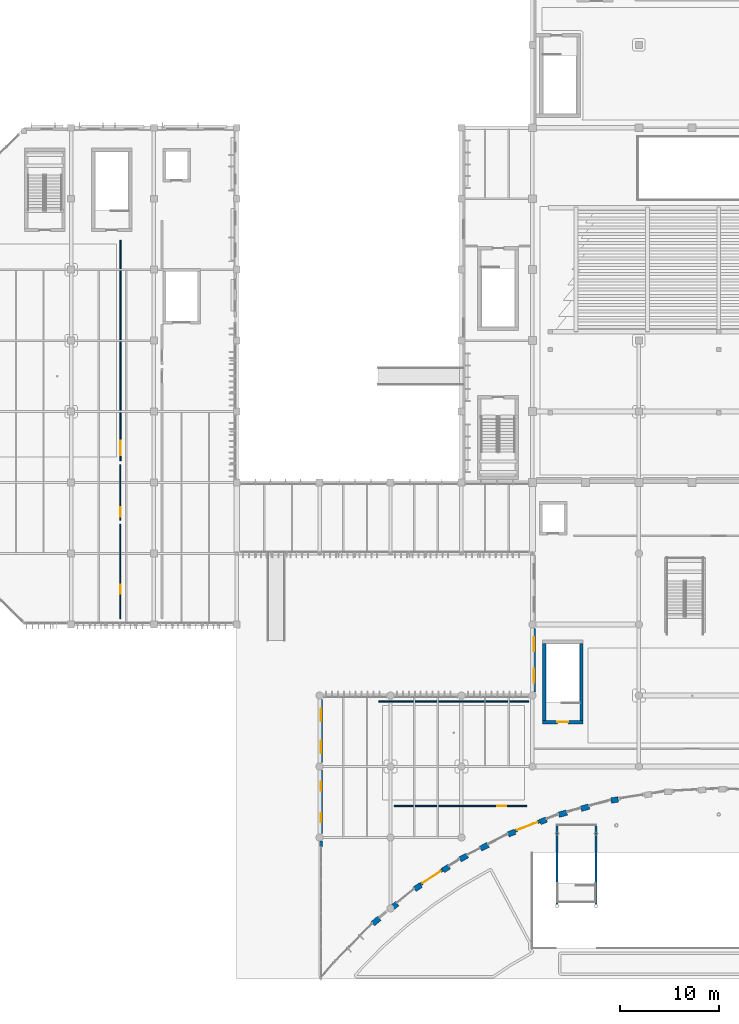
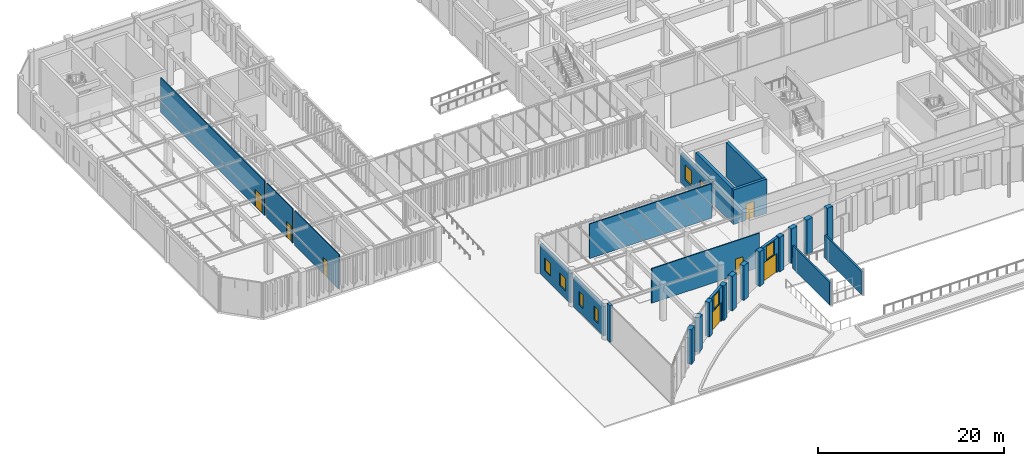
# One storey, part 31 of 122: 27 walls, 8 windows, 7 doors, 15 openings.
"""IFC4 building model written with IfcOpenShell, lengths in metres."""

import ifcopenshell
import ifcopenshell.guid

model = None  # the IFC model being written
_history = None  # IfcOwnerHistory: only IFC2X3 demands one
_inside = {}  # id of a spatial element -> (the spatial element, [elements in it])
_under = {}  # id of a project, library or spatial element -> (it, [spatial elements below it])
_declared = {}  # id of a project -> (the project, [libraries it declares])
_typed = {}  # id of a type object -> (the type object, [elements of that type])
_made_of = {}  # id of a material, layer set ... -> (it, [elements and type objects made of it])


def new_model(schema):
    """Start an empty IFC model of exactly this schema.

    Asked for "IFC4X3", IfcOpenShell would pick the latest addendum, in which some entities
    have other attributes; the version numbers below select the first issue.
    IFC2X3 requires an IfcOwnerHistory on every rooted entity: one is made here for all.
    """
    global model, _history
    if schema == "IFC4X3":
        model = ifcopenshell.file(schema_version=(4, 3, 0, 0))
    else:
        model = ifcopenshell.file(schema=schema)
    _inside.clear()
    _under.clear()
    _declared.clear()
    _typed.clear()
    _made_of.clear()
    _history = None
    if model.schema == "IFC2X3":
        org = make("IfcOrganization", Name="unknown")
        user = make(
            "IfcPersonAndOrganization",
            ThePerson=make("IfcPerson", FamilyName="unknown"),
            TheOrganization=org,
        )
        app = make(
            "IfcApplication",
            ApplicationDeveloper=org,
            Version="unknown",
            ApplicationFullName="unknown",
            ApplicationIdentifier="unknown",
        )
        _history = make(
            "IfcOwnerHistory",
            OwningUser=user,
            OwningApplication=app,
            ChangeAction="ADDED",
            CreationDate=0,
        )
    return model


def make(cls, **values):
    """One entity of the class cls with the attributes given. An attribute that is None is left unset."""
    return model.create_entity(
        cls, **{name: value for name, value in values.items() if value is not None}
    )


def rooted(cls, **values):
    """An entity with a GlobalId (a new one), such as an element, a storey or a relation."""
    return make(cls, GlobalId=ifcopenshell.guid.new(), OwnerHistory=_history, **values)


def si_unit(unit_type, name, prefix=None):
    """IfcSIUnit, for example si_unit("LENGTHUNIT", "METRE", prefix="MILLI")."""
    return make("IfcSIUnit", UnitType=unit_type, Prefix=prefix, Name=name)


def assignment(units):
    """IfcUnitAssignment: the units of a project."""
    return None if units is None else make("IfcUnitAssignment", Units=units)


def point(xyz):
    """IfcCartesianPoint."""
    return None if xyz is None else make("IfcCartesianPoint", Coordinates=xyz)


def direction(xyz):
    """IfcDirection."""
    return None if xyz is None else make("IfcDirection", DirectionRatios=xyz)


def frame(location, z_axis=None, x_axis=None):
    """IfcAxis2Placement3D, a coordinate frame: its origin and axes. An axis left out is left unset."""
    return make(
        "IfcAxis2Placement3D",
        Location=point(location),
        Axis=direction(z_axis),
        RefDirection=direction(x_axis),
    )


def frame_2d(location, x_axis=None):
    """IfcAxis2Placement2D, a coordinate frame in the plane: its origin and x axis."""
    return make(
        "IfcAxis2Placement2D", Location=point(location), RefDirection=direction(x_axis)
    )


def origin():
    """The frame at (0, 0, 0) with its axes left unset."""
    return frame((0.0, 0.0, 0.0))


def place(relative_to, where):
    """IfcLocalPlacement: puts the frame where relative to a parent placement (None: the world)."""
    return make(
        "IfcLocalPlacement", PlacementRelTo=relative_to, RelativePlacement=where
    )


def context(
    kind, dimensions, precision=None, world=None, true_north=None, identifier=None
):
    """IfcGeometricRepresentationContext, for example the 3D "Model" context."""
    return make(
        "IfcGeometricRepresentationContext",
        ContextIdentifier=identifier,
        ContextType=kind,
        CoordinateSpaceDimension=dimensions,
        Precision=precision,
        WorldCoordinateSystem=world,
        TrueNorth=true_north,
    )


def subcontext(parent, identifier, kind, view, scale=None):
    """IfcGeometricRepresentationSubContext, for example "Body" below "Model"."""
    return make(
        "IfcGeometricRepresentationSubContext",
        ContextIdentifier=identifier,
        ContextType=kind,
        ParentContext=parent,
        TargetScale=scale,
        TargetView=view,
    )


def project(units=None, contexts=None):
    """IfcProject with its units and contexts."""
    return rooted(
        "IfcProject",
        Name="project",
        RepresentationContexts=contexts,
        UnitsInContext=assignment(units),
    )


def spatial(cls, under=None, at=None, **own):
    """A site, building, storey or space (cls), placed at a placement, below another one or the project."""
    s = rooted(cls, ObjectPlacement=at, **own)
    if under is not None:
        _under.setdefault(under.id(), (under, []))[1].append(s)
    return s


def profile(cls, at=None, kind="AREA", **sizes):
    """A parametric profile (cls). Its sizes go by their IFC names, for example OverallWidth=200.0."""
    return make(cls, ProfileType=kind, Position=at, **sizes)


def rectangle(**sizes):
    """IfcRectangleProfileDef."""
    return profile("IfcRectangleProfileDef", **sizes)


def extrude(swept, where, along, depth):
    """IfcExtrudedAreaSolid: the profile swept, set in the frame where, extruded along a direction by depth."""
    return make(
        "IfcExtrudedAreaSolid",
        SweptArea=swept,
        Position=where,
        ExtrudedDirection=direction(along),
        Depth=depth,
    )


def shape(context_of_items, identifier, shape_type, items):
    """IfcShapeRepresentation: the items that make up one representation, for example the "Body"."""
    return make(
        "IfcShapeRepresentation",
        ContextOfItems=context_of_items,
        RepresentationIdentifier=identifier,
        RepresentationType=shape_type,
        Items=items,
    )


def material(Name=None, Category=None):
    """IfcMaterial."""
    return make("IfcMaterial", Name=Name, Category=Category)


def layer(
    of_material, thickness, ventilated=None, Name=None, Category=None, Priority=None
):
    """IfcMaterialLayer: one layer of a wall or slab, of a material (None: an air gap)."""
    return make(
        "IfcMaterialLayer",
        Material=of_material,
        LayerThickness=thickness,
        IsVentilated=ventilated,
        Name=Name,
        Category=Category,
        Priority=Priority,
    )


def layer_set(layers, Name=None):
    """IfcMaterialLayerSet."""
    return make("IfcMaterialLayerSet", MaterialLayers=layers, LayerSetName=Name)


def made_of(thing, what):
    """Note that an element or type object is made of a material, layer set ...; save() writes the relation."""
    if what is not None:
        _made_of.setdefault(what.id(), (what, []))[1].append(thing)
    return thing


def type_object(cls, material=None, **own):
    """A type object (cls), such as IfcWallType, which elements share."""
    return made_of(rooted(cls, **own), material)


def element(
    cls,
    number,
    at=None,
    inside=None,
    cuts=None,
    type_object=None,
    material=None,
    context=None,
    identifier="Body",
    shape_type=None,
    held_by="IfcProductDefinitionShape",
    body=None,
    shapes=None,
    **own,
):
    """One element of the class cls, such as IfcWall. Its Tag is "e" and its number.

    at: its placement. inside: the storey or other place that contains it. cuts: it is an
    opening in that element (IfcRelVoidsElement). A single representation is given by context,
    identifier, shape_type and body (its items); several are given by shapes. held_by: the class
    of the entity that holds the representations. save() writes the other relations.
    """
    e = rooted(cls, Tag="e%d" % number, ObjectPlacement=at, **own)
    if body is not None:
        shapes = [shape(context, identifier, shape_type, body)]
    if shapes is not None:
        e.Representation = make(held_by, Representations=shapes)
    if inside is not None:
        _inside.setdefault(inside.id(), (inside, []))[1].append(e)
    if cuts is not None:
        rooted(
            "IfcRelVoidsElement", RelatingBuildingElement=cuts, RelatedOpeningElement=e
        )
    if type_object is not None:
        _typed.setdefault(type_object.id(), (type_object, []))[1].append(e)
    return made_of(e, material)


def fill(opening, filler):
    """IfcRelFillsElement: the door or window that sits in an opening."""
    return rooted(
        "IfcRelFillsElement",
        RelatingOpeningElement=opening,
        RelatedBuildingElement=filler,
    )


def aggregate(whole, parts):
    """IfcRelAggregates: a whole, such as a stair, and the parts it consists of."""
    return rooted("IfcRelAggregates", RelatingObject=whole, RelatedObjects=parts)


def save(model, path):
    """Write the relations noted so far, then the file.

    IfcRelAggregates (storeys below a building ...), IfcRelContainedInSpatialStructure (elements
    in a storey), IfcRelDefinesByType, IfcRelAssociatesMaterial and IfcRelDeclares: one each for
    every whole, place, type object, material and project.
    """
    for whole, parts in _under.values():
        aggregate(whole, parts)
    for where, things in _inside.values():
        rooted(
            "IfcRelContainedInSpatialStructure",
            RelatedElements=things,
            RelatingStructure=where,
        )
    for kind, things in _typed.values():
        rooted("IfcRelDefinesByType", RelatedObjects=things, RelatingType=kind)
    for what, things in _made_of.values():
        rooted("IfcRelAssociatesMaterial", RelatedObjects=things, RelatingMaterial=what)
    for by, libraries in _declared.values():
        rooted("IfcRelDeclares", RelatingContext=by, RelatedDefinitions=libraries)
    model.write(path)


model = new_model("IFC4")

# Units and contexts
model_context = context("Model", 3, precision=1e-05, world=origin(), true_north=direction((0.0, 1.0)))
body_context = subcontext(model_context, "Body", "Model", "MODEL_VIEW")
ifc_project = project(units=[si_unit("LENGTHUNIT", "METRE"), si_unit("AREAUNIT", "SQUARE_METRE"), si_unit("VOLUMEUNIT", "CUBIC_METRE"), si_unit("PLANEANGLEUNIT", "RADIAN"), si_unit("MASSUNIT", "GRAM", prefix="KILO")], contexts=[model_context])

# Site, building, storey
site_placement = place(None, origin())
site = spatial("IfcSite", under=ifc_project, at=site_placement, CompositionType="ELEMENT")
building_placement = place(site_placement, origin())
building = spatial("IfcBuilding", under=site, at=building_placement, Name="Tazoul Stagehouse", CompositionType="ELEMENT")
storey_placement = place(building_placement, origin())
storey = spatial("IfcBuildingStorey", under=building, at=storey_placement, Name="L00", CompositionType="ELEMENT", Elevation=0.0)

# Walls
ifc_material_1 = material(Name="Ochre Pressed Clay Brick and Concrete C35/45 Backing", Category="masonry")
ifc_layer_1 = layer(ifc_material_1, 0.56005859375, Name="Ochre Pressed Clay Brick and Concrete C35/45 Backing")
ifc_layer_set_1 = layer_set([ifc_layer_1], Name="Ochre Pressed Clay Brick and Concrete C35/45 Backing")
wall_type_1 = type_object("IfcWallType", Name="Concave Crescent Deep Sculpted Brick Pier 560", PredefinedType="SOLIDWALL", material=ifc_layer_set_1)
wall_1_placement = place(storey_placement, frame((41.4091796875, 7.051513671875, 0.0), z_axis=(0.0, 0.0, 1.0), x_axis=(0.771815508467, 0.635846538789, 0.0)))
element("IfcWall", 1, at=wall_1_placement, inside=storey, type_object=wall_type_1, Name="L00 Wall EW-560 (WALL-V5-PIER-C03-1)", PredefinedType="SOLIDWALL", context=body_context, shape_type="SweptSolid", body=[
    extrude(rectangle(XDim=0.860107421875, YDim=0.56005859375, at=frame_2d((0.43017578125, 0.0))), origin(), (0.0, 0.0, 1.0), 4.5400390625),
])
wall_2_placement = place(storey_placement, frame((43.218994140625, 8.54248046875, 0.0), z_axis=(0.0, 0.0, 1.0), x_axis=(0.771954821173, 0.635677397795, 0.0)))
element("IfcWall", 2, at=wall_2_placement, inside=storey, type_object=wall_type_1, Name="L00 Wall EW-560 (WALL-V5-PIER-C03-2)", PredefinedType="SOLIDWALL", context=body_context, shape_type="SweptSolid", body=[
    extrude(rectangle(XDim=0.85986328125, YDim=0.56005859375, at=frame_2d((0.429931640625, 0.0))), origin(), (0.0, 0.0, 1.0), 4.5400390625),
])
wall_3_placement = place(storey_placement, frame((45.655029296875, 10.549560546875, 0.0), z_axis=(0.0, 0.0, 1.0), x_axis=(0.834730732559, 0.550658337012, 0.0)))
element("IfcWall", 3, at=wall_3_placement, inside=storey, type_object=wall_type_1, Name="L00 Wall EW-560 (WALL-V5-PIER-C04-1)", PredefinedType="SOLIDWALL", context=body_context, shape_type="SweptSolid", body=[
    extrude(rectangle(XDim=0.739990234375, YDim=0.56005859375, at=frame_2d((0.3701171875, 0.0))), origin(), (0.0, 0.0, 1.0), 4.5400390625),
])
wall_4_placement = place(storey_placement, frame((48.54345703125, 12.45458984375, 0.0), z_axis=(0.0, 0.0, 1.0), x_axis=(0.834752784548, 0.550624907436, 0.0)))
element("IfcWall", 4, at=wall_4_placement, inside=storey, type_object=wall_type_1, Name="L00 Wall EW-560 (WALL-V5-PIER-C04-2)", PredefinedType="SOLIDWALL", context=body_context, shape_type="SweptSolid", body=[
    extrude(rectangle(XDim=0.719970703125, YDim=0.56005859375, at=frame_2d((0.35986328125, 0.0))), origin(), (0.0, 0.0, 1.0), 4.5400390625),
])
for number, where, z_axis, x_axis, name in (
    (5, (50.247314453125, 13.578857421875, 0.0), (0.0, 0.0, 1.0), (0.88838537898, 0.459098484439, 0.0), "L00 Wall EW-560 (WALL-V5-PIER-C05-1)"),
    (6, (52.330322265625, 14.655517578125, 0.0), (0.0, 0.0, 1.0), (0.88838537898, 0.459098484439, 0.0), "L00 Wall EW-560 (WALL-V5-PIER-C05-2)"),
):
    element("IfcWall", number, at=place(storey_placement, frame(where, z_axis=z_axis, x_axis=x_axis)), inside=storey, type_object=wall_type_1, Name=name, PredefinedType="SOLIDWALL", context=body_context, shape_type="SweptSolid", body=[
        extrude(rectangle(XDim=0.85986328125, YDim=0.56005859375, at=frame_2d((0.429931640625, 0.0))), origin(), (0.0, 0.0, 1.0), 4.5400390625),
    ])
wall_5_placement = place(storey_placement, frame((55.13427734375, 16.105224609375, 0.0), z_axis=(0.0, 0.0, 1.0), x_axis=(0.931961327096, 0.362557698577, 0.0)))
element("IfcWall", 7, at=wall_5_placement, inside=storey, type_object=wall_type_1, Name="L00 Wall EW-560 (WALL-V5-PIER-C06-1)", PredefinedType="SOLIDWALL", context=body_context, shape_type="SweptSolid", body=[
    extrude(rectangle(XDim=0.739990234375, YDim=0.56005859375, at=frame_2d((0.3701171875, 0.0))), origin(), (0.0, 0.0, 1.0), 4.5400390625),
])
wall_6_placement = place(storey_placement, frame((58.35888671875, 17.359619140625, 0.0), z_axis=(0.0, 0.0, 1.0), x_axis=(0.931851856596, 0.362838968908, 0.0)))
element("IfcWall", 8, at=wall_6_placement, inside=storey, type_object=wall_type_1, Name="L00 Wall EW-560 (WALL-V5-PIER-C06-2)", PredefinedType="SOLIDWALL", context=body_context, shape_type="SweptSolid", body=[
    extrude(rectangle(XDim=0.719970703125, YDim=0.56005859375, at=frame_2d((0.35986328125, 0.0))), origin(), (0.0, 0.0, 1.0), 4.5400390625),
])
wall_7_placement = place(storey_placement, frame((60.260986328125, 18.100341796875, 0.0), z_axis=(0.0, 0.0, 1.0), x_axis=(0.965071022865, 0.261988398266, 0.0)))
element("IfcWall", 9, at=wall_7_placement, inside=storey, type_object=wall_type_1, Name="L00 Wall EW-560 (WALL-V5-PIER-C07-1)", PredefinedType="SOLIDWALL", context=body_context, shape_type="SweptSolid", body=[
    extrude(rectangle(XDim=0.860107421875, YDim=0.56005859375, at=frame_2d((0.43017578125, 0.0))), origin(), (0.0, 0.0, 1.0), 4.5400390625),
])
wall_8_placement = place(storey_placement, frame((62.524169921875, 18.714599609375, 0.0), z_axis=(0.0, 0.0, 1.0), x_axis=(0.965123305847, 0.261795730506, 0.0)))
element("IfcWall", 10, at=wall_8_placement, inside=storey, type_object=wall_type_1, Name="L00 Wall EW-560 (WALL-V5-PIER-C07-2)", PredefinedType="SOLIDWALL", context=body_context, shape_type="SweptSolid", body=[
    extrude(rectangle(XDim=0.85986328125, YDim=0.56005859375, at=frame_2d((0.429931640625, 0.0))), origin(), (0.0, 0.0, 1.0), 4.5400390625),
])
wall_9_placement = place(storey_placement, frame((65.5703125, 19.541748046875, 0.0), z_axis=(0.0, 0.0, 1.0), x_axis=(0.987374648009, 0.158402349948, 0.0)))
element("IfcWall", 11, at=wall_9_placement, inside=storey, type_object=wall_type_1, Name="L00 Wall EW-560 (WALL-V5-PIER-C08-1)", PredefinedType="SOLIDWALL", context=body_context, shape_type="SweptSolid", body=[
    extrude(rectangle(XDim=0.73974609375, YDim=0.56005859375, at=frame_2d((0.369873046875, 0.0))), origin(), (0.0, 0.0, 1.0), 4.5400390625),
])

# Wall, openings, window, door
ifc_material_2 = material(Name="Ochre Fired Clay Facing Brick Masonry", Category="masonry")
ifc_layer_2 = layer(ifc_material_2, 0.320068359375, Name="Ochre Fired Clay Facing Brick Masonry")
ifc_layer_set_2 = layer_set([ifc_layer_2], Name="Ochre Fired Clay Facing Brick Masonry")
wall_type_2 = type_object("IfcWallType", Name="Concave Crescent Ochre Brick Facade Wall 320", PredefinedType="SOLIDWALL", material=ifc_layer_set_2)
wall_10_placement = place(storey_placement, frame((46.245361328125, 11.034912109375, 0.0), z_axis=(0.0, 0.0, 1.0), x_axis=(0.834786932097, 0.550573135923, 0.0)))
wall_10 = element("IfcWall", 12, at=wall_10_placement, inside=storey, type_object=wall_type_2, Name="L00 Wall EW-320 (WALL-V5-ENT-C04)", PredefinedType="SOLIDWALL", context=body_context, shape_type="SweptSolid", body=[
    extrude(rectangle(XDim=2.68017578125, YDim=0.320068359375, at=frame_2d((1.340087890625, 0.0))), origin(), (0.0, 0.0, 1.0), 4.5400390625),
])
opening_1_placement = place(wall_10_placement, frame((0.639892578125, 0.0, 2.580078125)))
opening_1 = element("IfcOpeningElement", 13, at=opening_1_placement, cuts=wall_10, Name="Opening WN-04", PredefinedType="OPENING", context=body_context, shape_type="SweptSolid", body=[
    extrude(rectangle(XDim=1.39990234375, YDim=1.800048828125, at=frame_2d((0.699951171875, 0.89990234375))), frame((0.0, 0.179931640625, 0.0), z_axis=(0.0, -1.0, 0.0), x_axis=(1.0, 0.0, 0.0)), (0.0, 0.0, 1.0), 0.360107421875),
])
opening_2_placement = place(wall_10_placement, frame((0.239990234375, 0.0, 0.0)))
opening_2 = element("IfcOpeningElement", 14, at=opening_2_placement, cuts=wall_10, Name="Opening ED-01", PredefinedType="OPENING", context=body_context, shape_type="SweptSolid", body=[
    extrude(rectangle(XDim=2.199951171875, YDim=2.5, at=frame_2d((1.10009765625, 1.25))), frame((0.0, 0.179931640625, 0.0), z_axis=(0.0, -1.0, 0.0), x_axis=(1.0, 0.0, 0.0)), (0.0, 0.0, 1.0), 0.360107421875),
])
ifc_material_3 = material(Name="Double Low-E Acoustic Laminated Glass", Category="glass")
window_type_1 = type_object("IfcWindowType", Name="Clerestory Acoustic Fixed Light 1400x1800", PartitioningType="SINGLE_PANEL", PredefinedType="WINDOW", material=ifc_material_3)
window_1_placement = place(opening_1_placement, origin())
window_1 = element("IfcWindow", 15, at=window_1_placement, inside=storey, type_object=window_type_1, Name="L00 Window WN-04 (WN-V5-TRN-C04)", OverallHeight=1.800048828125, OverallWidth=1.39990234375, PartitioningType="SINGLE_PANEL", PredefinedType="WINDOW", context=body_context, shape_type="SweptSolid", body=[
    extrude(rectangle(XDim=1.39990234375, YDim=1.800048828125, at=frame_2d((0.699951171875, 0.89990234375))), frame((0.0, 0.030029296875, 0.0), z_axis=(0.0, -1.0, 0.0), x_axis=(1.0, 0.0, 0.0)), (0.0, 0.0, 1.0), 0.06005859375),
])
fill(opening_1, window_1)
door_type_1 = type_object("IfcDoorType", Name="Main Foyer Glazed Double Entrance Door 2200x2500", OperationType="DOUBLE_SWING_LEFT", PredefinedType="DOOR", material=ifc_material_3)
door_1_placement = place(opening_2_placement, origin())
door_1 = element("IfcDoor", 16, at=door_1_placement, inside=storey, type_object=door_type_1, Name="L00 Door ED-01 (DR-V5-L00-C04)", OperationType="SINGLE_SWING_LEFT", OverallHeight=2.5, OverallWidth=2.199951171875, PredefinedType="DOOR", context=body_context, shape_type="SweptSolid", body=[
    extrude(rectangle(XDim=2.199951171875, YDim=2.5, at=frame_2d((1.10009765625, 1.25))), frame((0.0, 0.02490234375, 0.0), z_axis=(0.0, -1.0, 0.0), x_axis=(1.0, 0.0, 0.0)), (0.0, 0.0, 1.0), 0.050048828125),
])
fill(opening_2, door_1)

wall_11_placement = place(storey_placement, frame((55.8134765625, 16.455322265625, 0.0), z_axis=(0.0, 0.0, 1.0), x_axis=(0.931953372645, 0.362578144978, 0.0)))
wall_11 = element("IfcWall", 17, at=wall_11_placement, inside=storey, type_object=wall_type_2, Name="L00 Wall EW-320 (WALL-V5-ENT-C06)", PredefinedType="SOLIDWALL", context=body_context, shape_type="SweptSolid", body=[
    extrude(rectangle(XDim=2.679931640625, YDim=0.320068359375, at=frame_2d((1.33984375, 0.0))), origin(), (0.0, 0.0, 1.0), 4.5400390625),
])
opening_3_placement = place(wall_11_placement, frame((0.639892578125, 0.0, 2.580078125)))
opening_3 = element("IfcOpeningElement", 18, at=opening_3_placement, cuts=wall_11, Name="Opening WN-04", PredefinedType="OPENING", context=body_context, shape_type="SweptSolid", body=[
    extrude(rectangle(XDim=1.39990234375, YDim=1.800048828125, at=frame_2d((0.699951171875, 0.89990234375))), frame((0.0, 0.179931640625, 0.0), z_axis=(0.0, -1.0, 0.0), x_axis=(1.0, 0.0, 0.0)), (0.0, 0.0, 1.0), 0.360107421875),
])
opening_4_placement = place(wall_11_placement, frame((0.239990234375, 0.0, 0.0)))
opening_4 = element("IfcOpeningElement", 19, at=opening_4_placement, cuts=wall_11, Name="Opening ED-01", PredefinedType="OPENING", context=body_context, shape_type="SweptSolid", body=[
    extrude(rectangle(XDim=2.199951171875, YDim=2.5, at=frame_2d((1.10009765625, 1.25))), frame((0.0, 0.179931640625, 0.0), z_axis=(0.0, -1.0, 0.0), x_axis=(1.0, 0.0, 0.0)), (0.0, 0.0, 1.0), 0.360107421875),
])
window_2_placement = place(opening_3_placement, origin())
window_2 = element("IfcWindow", 20, at=window_2_placement, inside=storey, type_object=window_type_1, Name="L00 Window WN-04 (WN-V5-TRN-C06)", OverallHeight=1.800048828125, OverallWidth=1.39990234375, PartitioningType="SINGLE_PANEL", PredefinedType="WINDOW", context=body_context, shape_type="SweptSolid", body=[
    extrude(rectangle(XDim=1.39990234375, YDim=1.800048828125, at=frame_2d((0.699951171875, 0.89990234375))), frame((0.0, 0.030029296875, 0.0), z_axis=(0.0, -1.0, 0.0), x_axis=(1.0, 0.0, 0.0)), (0.0, 0.0, 1.0), 0.06005859375),
])
fill(opening_3, window_2)
door_2_placement = place(opening_4_placement, origin())
door_2 = element("IfcDoor", 21, at=door_2_placement, inside=storey, type_object=door_type_1, Name="L00 Door ED-01 (DR-V5-L00-C06)", OperationType="SINGLE_SWING_LEFT", OverallHeight=2.5, OverallWidth=2.199951171875, PredefinedType="DOOR", context=body_context, shape_type="SweptSolid", body=[
    extrude(rectangle(XDim=2.199951171875, YDim=2.5, at=frame_2d((1.10009765625, 1.25))), frame((0.0, 0.02490234375, 0.0), z_axis=(0.0, -1.0, 0.0), x_axis=(1.0, 0.0, 0.0)), (0.0, 0.0, 1.0), 0.050048828125),
])
fill(opening_4, door_2)

# Wall
wall_12_placement = place(storey_placement, frame((36.159912109375, 14.820068359375, 0.0), z_axis=(0.0, 0.0, 1.0), x_axis=(0.0, 1.0, 0.0)))
element("IfcWall", 22, at=wall_12_placement, inside=storey, type_object=wall_type_2, Name="L00 Wall EW-320 (WALL-V5-W-L00-S1)", PredefinedType="SOLIDWALL", context=body_context, shape_type="SweptSolid", body=[
    extrude(rectangle(XDim=0.599853515625, YDim=0.320068359375, at=frame_2d((0.2998046875, 0.0))), origin(), (0.0, 0.0, 1.0), 4.800048828125),
])

# Wall, openings, windows
wall_13_placement = place(storey_placement, frame((36.159912109375, 16.179931640625, 0.0), z_axis=(0.0, 0.0, 1.0), x_axis=(0.0, 1.0, 0.0)))
wall_13 = element("IfcWall", 23, at=wall_13_placement, inside=storey, type_object=wall_type_2, Name="L00 Wall EW-320 (WALL-V5-W-L00-S2)", PredefinedType="SOLIDWALL", context=body_context, shape_type="SweptSolid", body=[
    extrude(rectangle(XDim=6.440185546875, YDim=0.320068359375, at=frame_2d((3.22021484375, 0.0))), origin(), (0.0, 0.0, 1.0), 3.873046875),
])
opening_5_placement = place(wall_13_placement, frame((1.14501953125, 0.0, 0.949951171875)))
opening_5 = element("IfcOpeningElement", 24, at=opening_5_placement, cuts=wall_13, Name="Opening WN-59", PredefinedType="OPENING", context=body_context, shape_type="SweptSolid", body=[
    extrude(rectangle(XDim=0.929931640625, YDim=1.800048828125, at=frame_2d((0.46484375, 0.89990234375))), frame((0.0, 0.179931640625, 0.0), z_axis=(0.0, -1.0, 0.0), x_axis=(1.0, 0.0, 0.0)), (0.0, 0.0, 1.0), 0.360107421875),
])
opening_6_placement = place(wall_13_placement, frame((4.364990234375, 0.0, 0.949951171875)))
opening_6 = element("IfcOpeningElement", 25, at=opening_6_placement, cuts=wall_13, Name="Opening WN-59", PredefinedType="OPENING", context=body_context, shape_type="SweptSolid", body=[
    extrude(rectangle(XDim=0.929931640625, YDim=1.800048828125, at=frame_2d((0.46484375, 0.89990234375))), frame((0.0, 0.179931640625, 0.0), z_axis=(0.0, -1.0, 0.0), x_axis=(1.0, 0.0, 0.0)), (0.0, 0.0, 1.0), 0.360107421875),
])
window_type_2 = type_object("IfcWindowType", Name="Architectural Acoustic Facade Window 930x1800", PartitioningType="SINGLE_PANEL", PredefinedType="WINDOW", material=ifc_material_3)
window_3_placement = place(opening_5_placement, origin())
window_3 = element("IfcWindow", 26, at=window_3_placement, inside=storey, type_object=window_type_2, Name="L00 Window WN-59 (WALL-V5-W-L00-S2-W1)", OverallHeight=1.800048828125, OverallWidth=0.929931640625, PartitioningType="SINGLE_PANEL", PredefinedType="WINDOW", context=body_context, shape_type="SweptSolid", body=[
    extrude(rectangle(XDim=0.929931640625, YDim=1.800048828125, at=frame_2d((0.46484375, 0.89990234375))), frame((0.0, 0.030029296875, 0.0), z_axis=(0.0, -1.0, 0.0), x_axis=(1.0, 0.0, 0.0)), (0.0, 0.0, 1.0), 0.06005859375),
])
fill(opening_5, window_3)
window_4_placement = place(opening_6_placement, origin())
window_4 = element("IfcWindow", 27, at=window_4_placement, inside=storey, type_object=window_type_2, Name="L00 Window WN-59 (WALL-V5-W-L00-S2-W2)", OverallHeight=1.800048828125, OverallWidth=0.929931640625, PartitioningType="SINGLE_PANEL", PredefinedType="WINDOW", context=body_context, shape_type="SweptSolid", body=[
    extrude(rectangle(XDim=0.929931640625, YDim=1.800048828125, at=frame_2d((0.46484375, 0.89990234375))), frame((0.0, 0.030029296875, 0.0), z_axis=(0.0, -1.0, 0.0), x_axis=(1.0, 0.0, 0.0)), (0.0, 0.0, 1.0), 0.06005859375),
])
fill(opening_6, window_4)

wall_14_placement = place(storey_placement, frame((36.159912109375, 23.3798828125, 0.0), z_axis=(0.0, 0.0, 1.0), x_axis=(0.0, 1.0, 0.0)))
wall_14 = element("IfcWall", 28, at=wall_14_placement, inside=storey, type_object=wall_type_2, Name="L00 Wall EW-320 (WALL-V5-W-L00-S3)", PredefinedType="SOLIDWALL", context=body_context, shape_type="SweptSolid", body=[
    extrude(rectangle(XDim=6.440185546875, YDim=0.320068359375, at=frame_2d((3.22021484375, 0.0))), origin(), (0.0, 0.0, 1.0), 3.873046875),
])
opening_7_placement = place(wall_14_placement, frame((0.965087890625, 0.0, 0.949951171875)))
opening_7 = element("IfcOpeningElement", 29, at=opening_7_placement, cuts=wall_14, Name="Opening WN-46", PredefinedType="OPENING", context=body_context, shape_type="SweptSolid", body=[
    extrude(rectangle(XDim=1.2900390625, YDim=1.64990234375, at=frame_2d((0.64501953125, 0.824951171875))), frame((0.0, 0.179931640625, 0.0), z_axis=(0.0, -1.0, 0.0), x_axis=(1.0, 0.0, 0.0)), (0.0, 0.0, 1.0), 0.360107421875),
])
opening_8_placement = place(wall_14_placement, frame((4.18505859375, 0.0, 0.949951171875)))
opening_8 = element("IfcOpeningElement", 30, at=opening_8_placement, cuts=wall_14, Name="Opening WN-46", PredefinedType="OPENING", context=body_context, shape_type="SweptSolid", body=[
    extrude(rectangle(XDim=1.2900390625, YDim=1.64990234375, at=frame_2d((0.64501953125, 0.824951171875))), frame((0.0, 0.179931640625, 0.0), z_axis=(0.0, -1.0, 0.0), x_axis=(1.0, 0.0, 0.0)), (0.0, 0.0, 1.0), 0.360107421875),
])
window_type_3 = type_object("IfcWindowType", Name="Architectural Acoustic Facade Window 1290x1650", PartitioningType="SINGLE_PANEL", PredefinedType="WINDOW", material=ifc_material_3)
window_5_placement = place(opening_7_placement, origin())
window_5 = element("IfcWindow", 31, at=window_5_placement, inside=storey, type_object=window_type_3, Name="L00 Window WN-46 (WALL-V5-W-L00-S3-W1)", OverallHeight=1.64990234375, OverallWidth=1.2900390625, PartitioningType="SINGLE_PANEL", PredefinedType="WINDOW", context=body_context, shape_type="SweptSolid", body=[
    extrude(rectangle(XDim=1.2900390625, YDim=1.64990234375, at=frame_2d((0.64501953125, 0.824951171875))), frame((0.0, 0.030029296875, 0.0), z_axis=(0.0, -1.0, 0.0), x_axis=(1.0, 0.0, 0.0)), (0.0, 0.0, 1.0), 0.06005859375),
])
fill(opening_7, window_5)
window_6_placement = place(opening_8_placement, origin())
window_6 = element("IfcWindow", 32, at=window_6_placement, inside=storey, type_object=window_type_3, Name="L00 Window WN-46 (WALL-V5-W-L00-S3-W2)", OverallHeight=1.64990234375, OverallWidth=1.2900390625, PartitioningType="SINGLE_PANEL", PredefinedType="WINDOW", context=body_context, shape_type="SweptSolid", body=[
    extrude(rectangle(XDim=1.2900390625, YDim=1.64990234375, at=frame_2d((0.64501953125, 0.824951171875))), frame((0.0, 0.030029296875, 0.0), z_axis=(0.0, -1.0, 0.0), x_axis=(1.0, 0.0, 0.0)), (0.0, 0.0, 1.0), 0.06005859375),
])
fill(opening_8, window_6)

# Wall, opening, door
ifc_material_4 = material(Name="Concrete C40/50", Category="concrete")
ifc_layer_3 = layer(ifc_material_4, 0.35009765625, Name="Concrete C40/50")
ifc_layer_set_3 = layer_set([ifc_layer_3], Name="Concrete C40/50")
wall_type_3 = type_object("IfcWallType", Name="Core Shear Wall 350", PredefinedType="SOLIDWALL", material=ifc_layer_set_3)
wall_15_placement = place(storey_placement, frame((62.75, 27.5048828125, 0.0), z_axis=(0.0, 0.0, 1.0), x_axis=(-1.0, 0.0, 0.0)))
wall_15 = element("IfcWall", 33, at=wall_15_placement, inside=storey, type_object=wall_type_3, Name="L00 Core Wall CW-350 (SHF-ST-B8-south)", PredefinedType="SOLIDWALL", context=body_context, shape_type="SweptSolid", body=[
    extrude(rectangle(XDim=4.14990234375, YDim=0.35009765625, at=frame_2d((2.074951171875, 0.0))), origin(), (0.0, 0.0, 1.0), 4.5400390625),
])
opening_9_placement = place(wall_15_placement, frame((1.52490234375, 0.0, 0.0)))
opening_9 = element("IfcOpeningElement", 34, at=opening_9_placement, cuts=wall_15, Name="Opening FD-01", PredefinedType="OPENING", context=body_context, shape_type="SweptSolid", body=[
    extrude(rectangle(XDim=1.10009765625, YDim=2.14990234375, at=frame_2d((0.550048828125, 1.074951171875))), frame((0.0, 0.195068359375, 0.0), z_axis=(0.0, -1.0, 0.0), x_axis=(1.0, 0.0, 0.0)), (0.0, 0.0, 1.0), 0.39013671875),
])
ifc_material_5 = material(Name="Powder-Coated Galvanised Acoustic Steel", Category="steel")
door_type_2 = type_object("IfcDoorType", Name="Core Escape Stair Fire Door 1100x2150", OperationType="NOTDEFINED", PredefinedType="DOOR", material=ifc_material_5)
door_3_placement = place(opening_9_placement, origin())
door_3 = element("IfcDoor", 35, at=door_3_placement, inside=storey, type_object=door_type_2, Name="L00 Basement Stair Fire Door FD-01 (ST-B8)", OperationType="SINGLE_SWING_LEFT", OverallHeight=2.14990234375, OverallWidth=1.10009765625, PredefinedType="DOOR", context=body_context, shape_type="SweptSolid", body=[
    extrude(rectangle(XDim=1.10009765625, YDim=2.14990234375, at=frame_2d((0.550048828125, 1.074951171875))), frame((0.0, 0.02490234375, 0.0), z_axis=(0.0, -1.0, 0.0), x_axis=(1.0, 0.0, 0.0)), (0.0, 0.0, 1.0), 0.050048828125),
])
fill(opening_9, door_3)

# Walls
for number, where, z_axis, x_axis, name in (
    (36, (58.77490234375, 27.679931640625, 0.0), (0.0, 0.0, 1.0), (0.0, 1.0, 0.0), "L00 Core Wall CW-350 (SHF-ST-B8-west)"),
    (37, (62.574951171875, 35.47998046875, 0.0), (0.0, 0.0, 1.0), (0.0, -1.0, 0.0), "L00 Core Wall CW-350 (SHF-ST-B8-east)"),
):
    element("IfcWall", number, at=place(storey_placement, frame(where, z_axis=z_axis, x_axis=x_axis)), inside=storey, type_object=wall_type_3, Name=name, PredefinedType="SOLIDWALL", context=body_context, shape_type="SweptSolid", body=[
        extrude(rectangle(XDim=7.800048828125, YDim=0.35009765625, at=frame_2d((3.89990234375, 0.0))), origin(), (0.0, 0.0, 1.0), 4.5400390625),
    ])

# Wall, openings, windows
ifc_material_6 = material(Name="Precast concrete C40/50", Category="concrete")
ifc_layer_4 = layer(ifc_material_6, 0.280029296875, Name="Precast concrete C40/50")
ifc_layer_set_4 = layer_set([ifc_layer_4], Name="Precast concrete C40/50")
wall_type_4 = type_object("IfcWallType", Name="Insulated Precast Acoustic Cladding Wall 280", PredefinedType="SOLIDWALL", material=ifc_layer_set_4)
wall_16_placement = place(storey_placement, frame((57.760009765625, 30.580078125, 0.0), z_axis=(0.0, 0.0, 1.0), x_axis=(0.0, 1.0, 0.0)))
wall_16 = element("IfcWall", 38, at=wall_16_placement, inside=storey, type_object=wall_type_4, Name="L00 Wall EW-280 (WALL-V5-THRW-L00-S1)", PredefinedType="SOLIDWALL", context=body_context, shape_type="SweptSolid", body=[
    extrude(rectangle(XDim=6.43994140625, YDim=0.280029296875, at=frame_2d((3.219970703125, 0.0))), origin(), (0.0, 0.0, 1.0), 3.873046875),
])
opening_10_placement = place(wall_16_placement, frame((0.905029296875, 0.0, 0.949951171875)))
opening_10 = element("IfcOpeningElement", 39, at=opening_10_placement, cuts=wall_16, Name="Opening WN-75", PredefinedType="OPENING", context=body_context, shape_type="SweptSolid", body=[
    extrude(rectangle(XDim=1.409912109375, YDim=1.949951171875, at=frame_2d((0.705078125, 0.97509765625))), frame((0.0, 0.159912109375, 0.0), z_axis=(0.0, -1.0, 0.0), x_axis=(1.0, 0.0, 0.0)), (0.0, 0.0, 1.0), 0.320068359375),
])
opening_11_placement = place(wall_16_placement, frame((4.125, 0.0, 0.949951171875)))
opening_11 = element("IfcOpeningElement", 40, at=opening_11_placement, cuts=wall_16, Name="Opening WN-75", PredefinedType="OPENING", context=body_context, shape_type="SweptSolid", body=[
    extrude(rectangle(XDim=1.409912109375, YDim=1.949951171875, at=frame_2d((0.705078125, 0.97509765625))), frame((0.0, 0.159912109375, 0.0), z_axis=(0.0, -1.0, 0.0), x_axis=(1.0, 0.0, 0.0)), (0.0, 0.0, 1.0), 0.320068359375),
])
window_type_4 = type_object("IfcWindowType", Name="Architectural Acoustic Facade Window 1410x1950", PartitioningType="SINGLE_PANEL", PredefinedType="WINDOW", material=ifc_material_3)
window_7_placement = place(opening_10_placement, origin())
window_7 = element("IfcWindow", 41, at=window_7_placement, inside=storey, type_object=window_type_4, Name="L00 Window WN-75 (WALL-V5-THRW-L00-S1-W1)", OverallHeight=1.949951171875, OverallWidth=1.409912109375, PartitioningType="SINGLE_PANEL", PredefinedType="WINDOW", context=body_context, shape_type="SweptSolid", body=[
    extrude(rectangle(XDim=1.409912109375, YDim=1.949951171875, at=frame_2d((0.705078125, 0.97509765625))), frame((0.0, 0.030029296875, 0.0), z_axis=(0.0, -1.0, 0.0), x_axis=(1.0, 0.0, 0.0)), (0.0, 0.0, 1.0), 0.06005859375),
])
fill(opening_10, window_7)
window_8_placement = place(opening_11_placement, origin())
window_8 = element("IfcWindow", 42, at=window_8_placement, inside=storey, type_object=window_type_4, Name="L00 Window WN-75 (WALL-V5-THRW-L00-S1-W2)", OverallHeight=1.949951171875, OverallWidth=1.409912109375, PartitioningType="SINGLE_PANEL", PredefinedType="WINDOW", context=body_context, shape_type="SweptSolid", body=[
    extrude(rectangle(XDim=1.409912109375, YDim=1.949951171875, at=frame_2d((0.705078125, 0.97509765625))), frame((0.0, 0.030029296875, 0.0), z_axis=(0.0, -1.0, 0.0), x_axis=(1.0, 0.0, 0.0)), (0.0, 0.0, 1.0), 0.06005859375),
])
fill(opening_11, window_8)

# Wall
ifc_material_7 = material(Name="Gypsum Acoustic Partition", Category="gypsum")
ifc_layer_5 = layer(ifc_material_7, 0.1298828125, Name="Gypsum Acoustic Partition")
ifc_layer_set_5 = layer_set([ifc_layer_5], Name="Gypsum Acoustic Partition")
wall_type_5 = type_object("IfcWallType", Name="Office Drywall Partition 130", PredefinedType="PARTITIONING", material=ifc_layer_set_5)
wall_17_placement = place(storey_placement, frame((42.0, 29.60009765625, 0.0), z_axis=(0.0, 0.0, 1.0), x_axis=(1.0, 0.0, 0.0)))
element("IfcWall", 43, at=wall_17_placement, inside=storey, type_object=wall_type_5, Name="L00 Partition PW-130 (PW-RM-L00-017-N)", PredefinedType="PARTITIONING", context=body_context, shape_type="SweptSolid", body=[
    extrude(rectangle(XDim=15.199951171875, YDim=0.1298828125, at=frame_2d((7.60009765625, 0.0))), origin(), (0.0, 0.0, 1.0), 4.5400390625),
])

# Wall, opening, door
wall_18_placement = place(storey_placement, frame((43.60009765625, 19.0, 0.0), z_axis=(0.0, 0.0, 1.0), x_axis=(1.0, 0.0, 0.0)))
wall_18 = element("IfcWall", 44, at=wall_18_placement, inside=storey, type_object=wall_type_5, Name="L00 Partition PW-130 (PW-RM-L00-029-N)", PredefinedType="PARTITIONING", context=body_context, shape_type="SweptSolid", body=[
    extrude(rectangle(XDim=13.39990234375, YDim=0.1298828125, at=frame_2d((6.699951171875, 0.0))), origin(), (0.0, 0.0, 1.0), 4.5400390625),
])
opening_12_placement = place(wall_18_placement, frame((10.42919921875, 0.0, 0.0)))
opening_12 = element("IfcOpeningElement", 45, at=opening_12_placement, cuts=wall_18, Name="Opening ID-05", PredefinedType="OPENING", context=body_context, shape_type="SweptSolid", body=[
    extrude(rectangle(XDim=0.89990234375, YDim=2.14990234375, at=frame_2d((0.449951171875, 1.074951171875))), frame((0.0, 0.0849609375, 0.0), z_axis=(0.0, -1.0, 0.0), x_axis=(1.0, 0.0, 0.0)), (0.0, 0.0, 1.0), 0.169921875),
])
ifc_material_8 = material(Name="Acoustic Cedar Timber", Category="wood")
door_type_3 = type_object("IfcDoorType", Name="Office Timber Acoustic Door 900x2150", OperationType="NOTDEFINED", PredefinedType="DOOR", material=ifc_material_8)
door_4_placement = place(opening_12_placement, origin())
door_4 = element("IfcDoor", 46, at=door_4_placement, inside=storey, type_object=door_type_3, Name="L00 Central Box Office and Patron Services Door", OperationType="SINGLE_SWING_LEFT", OverallHeight=2.14990234375, OverallWidth=0.89990234375, PredefinedType="DOOR", context=body_context, shape_type="SweptSolid", body=[
    extrude(rectangle(XDim=0.89990234375, YDim=2.14990234375, at=frame_2d((0.449951171875, 1.074951171875))), frame((0.0, 0.02490234375, 0.0), z_axis=(0.0, -1.0, 0.0), x_axis=(1.0, 0.0, 0.0)), (0.0, 0.0, 1.0), 0.050048828125),
])
fill(opening_12, door_4)

wall_19_placement = place(storey_placement, frame((15.800048828125, 76.39990234375, 0.0), z_axis=(0.0, 0.0, 1.0), x_axis=(0.0, -1.0, 0.0)))
wall_19 = element("IfcWall", 47, at=wall_19_placement, inside=storey, type_object=wall_type_5, Name="L00 Partition PW-130 (PW-RM-L00-033-E)", PredefinedType="PARTITIONING", context=body_context, shape_type="SweptSolid", body=[
    extrude(rectangle(XDim=22.39990234375, YDim=0.1298828125, at=frame_2d((11.199951171875, 0.0))), origin(), (0.0, 0.0, 1.0), 4.5400390625),
])
opening_13_placement = place(wall_19_placement, frame((20.35302734375, 0.0, 0.0)))
opening_13 = element("IfcOpeningElement", 48, at=opening_13_placement, cuts=wall_19, Name="Opening ID-21", PredefinedType="OPENING", context=body_context, shape_type="SweptSolid", body=[
    extrude(rectangle(XDim=1.449951171875, YDim=2.199951171875, at=frame_2d((0.72509765625, 1.10009765625))), frame((0.0, 0.0849609375, 0.0), z_axis=(0.0, -1.0, 0.0), x_axis=(1.0, 0.0, 0.0)), (0.0, 0.0, 1.0), 0.169921875),
])
door_type_4 = type_object("IfcDoorType", Name="Press Conference Double Door 1450x2200", OperationType="DOUBLE_DOOR_SINGLE_SWING", PredefinedType="DOOR", material=ifc_material_8)
door_5_placement = place(opening_13_placement, origin())
door_5 = element("IfcDoor", 49, at=door_5_placement, inside=storey, type_object=door_type_4, Name="L00 Experimental Exhibition Hall Door", OperationType="DOUBLE_DOOR_SINGLE_SWING", OverallHeight=2.199951171875, OverallWidth=1.449951171875, PredefinedType="DOOR", context=body_context, shape_type="SweptSolid", body=[
    extrude(rectangle(XDim=1.449951171875, YDim=2.199951171875, at=frame_2d((0.72509765625, 1.10009765625))), frame((0.0, 0.02490234375, 0.0), z_axis=(0.0, -1.0, 0.0), x_axis=(1.0, 0.0, 0.0)), (0.0, 0.0, 1.0), 0.050048828125),
])
fill(opening_13, door_5)

# Walls
ifc_layer_6 = layer(ifc_material_4, 0.219970703125, Name="Concrete C40/50")
ifc_layer_set_6 = layer_set([ifc_layer_6], Name="Concrete C40/50")
wall_type_6 = type_object("IfcWallType", Name="Protected Exit Passage Wall 220 (Exterior)", PredefinedType="SOLIDWALL", material=ifc_layer_set_6)
for number, where, z_axis, x_axis, name in (
    (50, (60.090087890625, 9.014892578125, 0.0), (0.0, 0.0, 1.0), (0.0, 1.0, 0.0), "L00 Civic Stair Cheek Wall CW-220E (ST-AMP-W-W)"),
    (51, (64.06005859375, 9.014892578125, 0.0), (0.0, 0.0, 1.0), (0.0, 1.0, 0.0), "L00 Civic Stair Cheek Wall CW-220E (ST-AMP-W-E)"),
):
    element("IfcWall", number, at=place(storey_placement, frame(where, z_axis=z_axis, x_axis=x_axis)), inside=storey, type_object=wall_type_6, Name=name, PredefinedType="SOLIDWALL", context=body_context, shape_type="SweptSolid", body=[
        extrude(rectangle(XDim=7.985107421875, YDim=0.219970703125, at=frame_2d((3.99267578125, 0.0))), origin(), (0.0, 0.0, 1.0), 3.02001953125),
    ])

# Wall, opening, door
ifc_layer_7 = layer(ifc_material_7, 0.110107421875, Name="Gypsum Acoustic Partition")
ifc_layer_set_7 = layer_set([ifc_layer_7], Name="Gypsum Acoustic Partition")
wall_type_7 = type_object("IfcWallType", Name="Wet-Area Tile Backing Partition 110", PredefinedType="PARTITIONING", material=ifc_layer_set_7)
wall_20_placement = place(storey_placement, frame((15.800048828125, 47.60009765625, 0.0), z_axis=(0.0, 0.0, 1.0), x_axis=(0.0, -1.0, 0.0)))
wall_20 = element("IfcWall", 52, at=wall_20_placement, inside=storey, type_object=wall_type_7, Name="L00 Partition PW-110 (PW-RM-L00-031-E)", PredefinedType="PARTITIONING", context=body_context, shape_type="SweptSolid", body=[
    extrude(rectangle(XDim=9.60009765625, YDim=0.110107421875, at=frame_2d((4.800048828125, 0.0))), origin(), (0.0, 0.0, 1.0), 4.56005859375),
])
opening_14_placement = place(wall_20_placement, frame((6.168212890625, 0.0, 0.0)))
opening_14 = element("IfcOpeningElement", 53, at=opening_14_placement, cuts=wall_20, Name="Opening ID-05", PredefinedType="OPENING", context=body_context, shape_type="SweptSolid", body=[
    extrude(rectangle(XDim=0.89990234375, YDim=2.14990234375, at=frame_2d((0.449951171875, 1.074951171875))), frame((0.0, 0.074951171875, 0.0), z_axis=(0.0, -1.0, 0.0), x_axis=(1.0, 0.0, 0.0)), (0.0, 0.0, 1.0), 0.150146484375),
])
door_6_placement = place(opening_14_placement, origin())
door_6 = element("IfcDoor", 54, at=door_6_placement, inside=storey, type_object=door_type_3, Name="L00 FOH Public Toilets WC Door", OperationType="SINGLE_SWING_LEFT", OverallHeight=2.14990234375, OverallWidth=0.89990234375, PredefinedType="DOOR", context=body_context, shape_type="SweptSolid", body=[
    extrude(rectangle(XDim=0.89990234375, YDim=2.14990234375, at=frame_2d((0.449951171875, 1.074951171875))), frame((0.0, 0.02490234375, 0.0), z_axis=(0.0, -1.0, 0.0), x_axis=(1.0, 0.0, 0.0)), (0.0, 0.0, 1.0), 0.050048828125),
])
fill(opening_14, door_6)

wall_21_placement = place(storey_placement, frame((15.800048828125, 53.60009765625, 0.0), z_axis=(0.0, 0.0, 1.0), x_axis=(0.0, -1.0, 0.0)))
wall_21 = element("IfcWall", 55, at=wall_21_placement, inside=storey, type_object=wall_type_7, Name="L00 Partition PW-110 (PW-RM-L00-032-E)", PredefinedType="PARTITIONING", context=body_context, shape_type="SweptSolid", body=[
    extrude(rectangle(XDim=5.60009765625, YDim=0.110107421875, at=frame_2d((2.800048828125, 0.0))), origin(), (0.0, 0.0, 1.0), 4.5400390625),
])
opening_15_placement = place(wall_21_placement, frame((4.300048828125, 0.0, 0.0)))
opening_15 = element("IfcOpeningElement", 56, at=opening_15_placement, cuts=wall_21, Name="Opening ID-02", PredefinedType="OPENING", context=body_context, shape_type="SweptSolid", body=[
    extrude(rectangle(XDim=0.949951171875, YDim=2.10009765625, at=frame_2d((0.47509765625, 1.050048828125))), frame((0.0, 0.074951171875, 0.0), z_axis=(0.0, -1.0, 0.0), x_axis=(1.0, 0.0, 0.0)), (0.0, 0.0, 1.0), 0.150146484375),
])
door_type_5 = type_object("IfcDoorType", Name="Accessible WC Door 950x2100", OperationType="NOTDEFINED", PredefinedType="DOOR", material=ifc_material_8)
door_7_placement = place(opening_15_placement, origin())
door_7 = element("IfcDoor", 57, at=door_7_placement, inside=storey, type_object=door_type_5, Name="L00 L00 Accessible WC Door", OperationType="SINGLE_SWING_RIGHT", OverallHeight=2.10009765625, OverallWidth=0.949951171875, PredefinedType="DOOR", context=body_context, shape_type="SweptSolid", body=[
    extrude(rectangle(XDim=0.949951171875, YDim=2.10009765625, at=frame_2d((0.47509765625, 1.050048828125))), frame((0.0, 0.02490234375, 0.0), z_axis=(0.0, -1.0, 0.0), x_axis=(1.0, 0.0, 0.0)), (0.0, 0.0, 1.0), 0.050048828125),
])
fill(opening_15, door_7)

save(model, "model.ifc")
